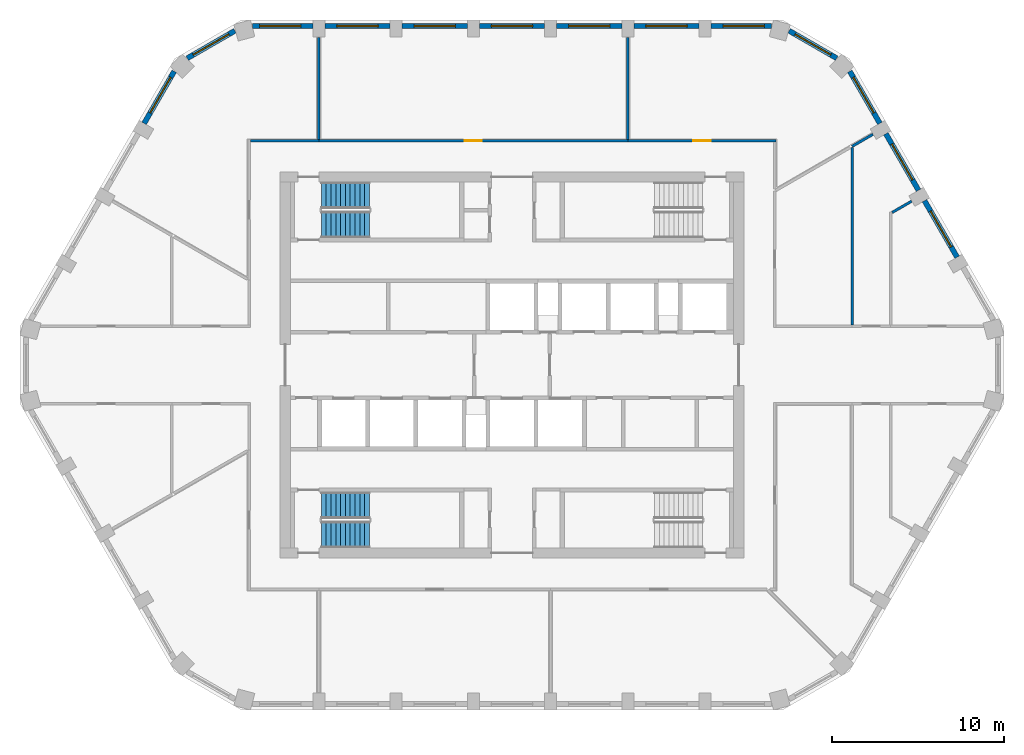
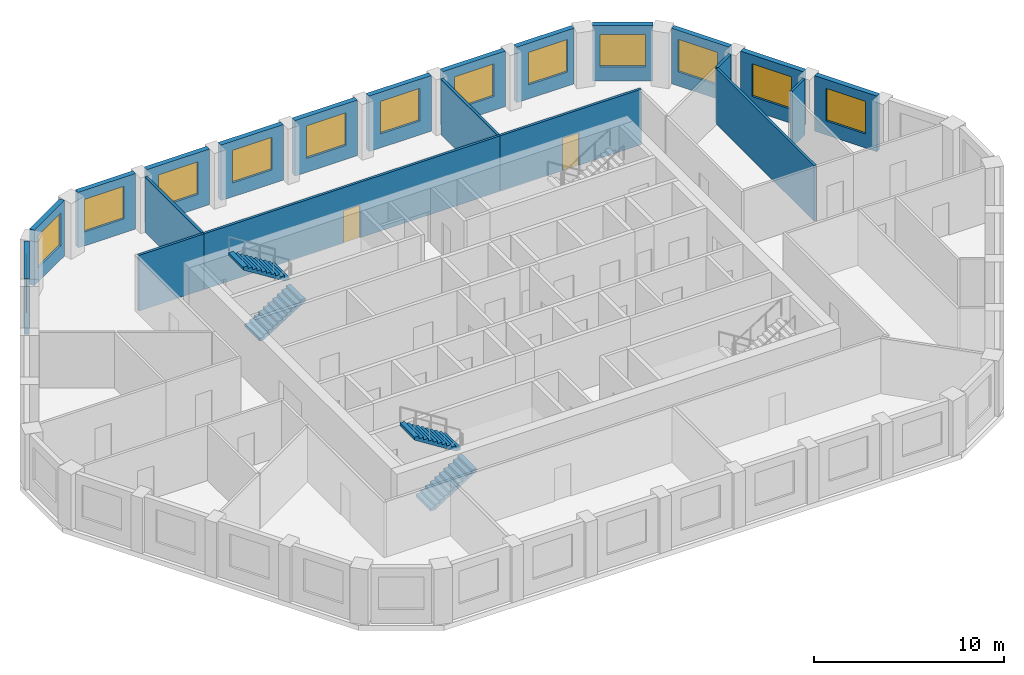
# One storey, part 6 of 11: 21 walls, 13 windows, 4 stair flights, 2 doors, 15 openings, 2 elements without a shape of their own.
"""IFC4 building model written with IfcOpenShell, lengths in metres."""

from ifc_helpers import new_model, si_unit, direction, frame, frame_2d, origin, place, context, subcontext, project, spatial, polyline, rectangle, outline, extrude, material, layer, layer_set, type_object, element, fill, aggregate, save


model = new_model("IFC4")

# Units and contexts
model_context = context("Model", 3, precision=1e-05, world=origin(), true_north=direction((0.0, 1.0)))
body_context = subcontext(model_context, "Body", "Model", "MODEL_VIEW")
ifc_project = project(units=[si_unit("LENGTHUNIT", "METRE"), si_unit("AREAUNIT", "SQUARE_METRE"), si_unit("VOLUMEUNIT", "CUBIC_METRE"), si_unit("PLANEANGLEUNIT", "RADIAN"), si_unit("MASSUNIT", "GRAM", prefix="KILO")], contexts=[model_context])

# Site, building, storey
site_placement = place(None, origin())
site = spatial("IfcSite", under=ifc_project, at=site_placement, CompositionType="ELEMENT")
building_placement = place(site_placement, origin())
building = spatial("IfcBuilding", under=site, at=building_placement, Name="Dhurran Vertical Campus", CompositionType="ELEMENT")
storey_placement = place(building_placement, frame((0.0, 0.0, 270.300048828125)))
storey = spatial("IfcBuildingStorey", under=building, at=storey_placement, Name="L67", CompositionType="ELEMENT", Elevation=270.300048828125)

# Wall, opening, window
ifc_material_1 = material(Name="Precast concrete C50/60", Category="concrete")
ifc_layer_1 = layer(ifc_material_1, 0.300048828125)
ifc_layer_set_1 = layer_set([ifc_layer_1], Name="Precast concrete C50/60")
wall_type_1 = type_object("IfcWallType", Name="Precast spandrel wall 300", PredefinedType="SOLIDWALL", material=ifc_layer_set_1)
wall_1_placement = place(storey_placement, frame((25.918701171875, 6.275634765625, 0.0), z_axis=(0.0, 0.0, 1.0), x_axis=(-0.499982058975, 0.866035761792, 0.0)))
wall_1 = element("IfcWall", 1, at=wall_1_placement, inside=storey, type_object=wall_type_1, Name="EW1 L67.14", PredefinedType="SOLIDWALL", context=body_context, shape_type="SweptSolid", body=[
    extrude(rectangle(XDim=3.799072265625, YDim=0.300048828125, at=frame_2d((1.8994140625, 0.0))), origin(), (0.0, 0.0, 1.0), 3.574951171875),
])
opening_1_placement = place(wall_1_placement, frame((0.699462890625, 0.0, 0.89990234375)))
opening_1 = element("IfcOpeningElement", 2, at=opening_1_placement, cuts=wall_1, Name="Opening WT1", PredefinedType="OPENING", context=body_context, shape_type="SweptSolid", body=[
    extrude(rectangle(XDim=2.39990234375, YDim=2.10009765625, at=frame_2d((1.199951171875, 1.050048828125))), frame((0.0, 0.159912109375, 0.0), z_axis=(0.0, -1.0, 0.0), x_axis=(1.0, 0.0, 0.0)), (0.0, 0.0, 1.0), 0.320068359375),
])
ifc_material_2 = material(Name="Aluminium frame with solar-control glass", Category="aluminium")
window_type = type_object("IfcWindowType", Name="Punched window 2400 x 2100", PartitioningType="SINGLE_PANEL", PredefinedType="WINDOW", material=ifc_material_2)
window_1_placement = place(opening_1_placement, origin())
window_1 = element("IfcWindow", 3, at=window_1_placement, inside=storey, type_object=window_type, Name="WT1 L67.14", OverallHeight=2.10009765625, OverallWidth=2.39990234375, PartitioningType="SINGLE_PANEL", PredefinedType="WINDOW", context=body_context, shape_type="SweptSolid", body=[
    extrude(rectangle(XDim=2.39990234375, YDim=2.10009765625, at=frame_2d((1.199951171875, 1.050048828125))), frame((0.0, 0.030029296875, 0.0), z_axis=(0.0, -1.0, 0.0), x_axis=(1.0, 0.0, 0.0)), (0.0, 0.0, 1.0), 0.06005859375),
])
fill(opening_1, window_1)

wall_2_placement = place(storey_placement, frame((23.668701171875, 10.1728515625, 0.0), z_axis=(0.0, 0.0, 1.0), x_axis=(-0.499982058975, 0.866035761792, 0.0)))
wall_2 = element("IfcWall", 4, at=wall_2_placement, inside=storey, type_object=wall_type_1, Name="EW1 L67.15", PredefinedType="SOLIDWALL", context=body_context, shape_type="SweptSolid", body=[
    extrude(rectangle(XDim=3.799072265625, YDim=0.300048828125, at=frame_2d((1.8994140625, 0.0))), origin(), (0.0, 0.0, 1.0), 3.574951171875),
])
opening_2_placement = place(wall_2_placement, frame((0.699462890625, 0.0, 0.89990234375)))
opening_2 = element("IfcOpeningElement", 5, at=opening_2_placement, cuts=wall_2, Name="Opening WT1", PredefinedType="OPENING", context=body_context, shape_type="SweptSolid", body=[
    extrude(rectangle(XDim=2.39990234375, YDim=2.10009765625, at=frame_2d((1.199951171875, 1.050048828125))), frame((0.0, 0.159912109375, 0.0), z_axis=(0.0, -1.0, 0.0), x_axis=(1.0, 0.0, 0.0)), (0.0, 0.0, 1.0), 0.320068359375),
])
window_2_placement = place(opening_2_placement, origin())
window_2 = element("IfcWindow", 6, at=window_2_placement, inside=storey, type_object=window_type, Name="WT1 L67.15", OverallHeight=2.10009765625, OverallWidth=2.39990234375, PartitioningType="SINGLE_PANEL", PredefinedType="WINDOW", context=body_context, shape_type="SweptSolid", body=[
    extrude(rectangle(XDim=2.39990234375, YDim=2.10009765625, at=frame_2d((1.199951171875, 1.050048828125))), frame((0.0, 0.030029296875, 0.0), z_axis=(0.0, -1.0, 0.0), x_axis=(1.0, 0.0, 0.0)), (0.0, 0.0, 1.0), 0.06005859375),
])
fill(opening_2, window_2)

wall_3_placement = place(storey_placement, frame((21.418701171875, 14.06982421875, 0.0), z_axis=(0.0, 0.0, 1.0), x_axis=(-0.499960102815, 0.866048437209, 0.0)))
wall_3 = element("IfcWall", 7, at=wall_3_placement, inside=storey, type_object=wall_type_1, Name="EW1 L67.16", PredefinedType="SOLIDWALL", context=body_context, shape_type="SweptSolid", body=[
    extrude(rectangle(XDim=3.497802734375, YDim=0.300048828125, at=frame_2d((1.7490234375, 0.0))), origin(), (0.0, 0.0, 1.0), 3.574951171875),
])
opening_3_placement = place(wall_3_placement, frame((0.699462890625, 0.0, 0.89990234375)))
opening_3 = element("IfcOpeningElement", 8, at=opening_3_placement, cuts=wall_3, Name="Opening WT1", PredefinedType="OPENING", context=body_context, shape_type="SweptSolid", body=[
    extrude(rectangle(XDim=2.39990234375, YDim=2.10009765625, at=frame_2d((1.199951171875, 1.050048828125))), frame((0.0, 0.159912109375, 0.0), z_axis=(0.0, -1.0, 0.0), x_axis=(1.0, 0.0, 0.0)), (0.0, 0.0, 1.0), 0.320068359375),
])
window_3_placement = place(opening_3_placement, origin())
window_3 = element("IfcWindow", 9, at=window_3_placement, inside=storey, type_object=window_type, Name="WT1 L67.16", OverallHeight=2.10009765625, OverallWidth=2.39990234375, PartitioningType="SINGLE_PANEL", PredefinedType="WINDOW", context=body_context, shape_type="SweptSolid", body=[
    extrude(rectangle(XDim=2.39990234375, YDim=2.10009765625, at=frame_2d((1.199951171875, 1.050048828125))), frame((0.0, 0.030029296875, 0.0), z_axis=(0.0, -1.0, 0.0), x_axis=(1.0, 0.0, 0.0)), (0.0, 0.0, 1.0), 0.06005859375),
])
fill(opening_3, window_3)

wall_4_placement = place(storey_placement, frame((18.90771484375, 17.861328125, 0.0), z_axis=(0.0, 0.0, 1.0), x_axis=(-0.866025316205, 0.500000151692, 0.0)))
wall_4 = element("IfcWall", 10, at=wall_4_placement, inside=storey, type_object=wall_type_1, Name="EW1 L67.17", PredefinedType="SOLIDWALL", context=body_context, shape_type="SweptSolid", body=[
    extrude(rectangle(XDim=3.1962890625, YDim=0.300048828125, at=frame_2d((1.59814453125, 0.0))), origin(), (0.0, 0.0, 1.0), 3.574951171875),
])
opening_4_placement = place(wall_4_placement, frame((0.398193359375, 0.0, 0.89990234375)))
opening_4 = element("IfcOpeningElement", 11, at=opening_4_placement, cuts=wall_4, Name="Opening WT1", PredefinedType="OPENING", context=body_context, shape_type="SweptSolid", body=[
    extrude(rectangle(XDim=2.39990234375, YDim=2.10009765625, at=frame_2d((1.199951171875, 1.050048828125))), frame((0.0, 0.159912109375, 0.0), z_axis=(0.0, -1.0, 0.0), x_axis=(1.0, 0.0, 0.0)), (0.0, 0.0, 1.0), 0.320068359375),
])
window_4_placement = place(opening_4_placement, origin())
window_4 = element("IfcWindow", 12, at=window_4_placement, inside=storey, type_object=window_type, Name="WT1 L67.17", OverallHeight=2.10009765625, OverallWidth=2.39990234375, PartitioningType="SINGLE_PANEL", PredefinedType="WINDOW", context=body_context, shape_type="SweptSolid", body=[
    extrude(rectangle(XDim=2.39990234375, YDim=2.10009765625, at=frame_2d((1.199951171875, 1.050048828125))), frame((0.0, 0.030029296875, 0.0), z_axis=(0.0, -1.0, 0.0), x_axis=(1.0, 0.0, 0.0)), (0.0, 0.0, 1.0), 0.06005859375),
])
fill(opening_4, window_4)

wall_5_placement = place(storey_placement, frame((15.09814453125, 19.738525390625, 0.0), z_axis=(0.0, 0.0, 1.0), x_axis=(-1.0, 0.0, 0.0)))
wall_5 = element("IfcWall", 13, at=wall_5_placement, inside=storey, type_object=wall_type_1, Name="EW1 L67.18", PredefinedType="SOLIDWALL", context=body_context, shape_type="SweptSolid", body=[
    extrude(rectangle(XDim=3.49755859375, YDim=0.300048828125, at=frame_2d((1.748779296875, 0.0))), origin(), (0.0, 0.0, 1.0), 3.574951171875),
])
opening_5_placement = place(wall_5_placement, frame((0.398193359375, 0.0, 0.89990234375)))
opening_5 = element("IfcOpeningElement", 14, at=opening_5_placement, cuts=wall_5, Name="Opening WT1", PredefinedType="OPENING", context=body_context, shape_type="SweptSolid", body=[
    extrude(rectangle(XDim=2.39990234375, YDim=2.10009765625, at=frame_2d((1.199951171875, 1.050048828125))), frame((0.0, 0.159912109375, 0.0), z_axis=(0.0, -1.0, 0.0), x_axis=(1.0, 0.0, 0.0)), (0.0, 0.0, 1.0), 0.320068359375),
])
window_5_placement = place(opening_5_placement, origin())
window_5 = element("IfcWindow", 15, at=window_5_placement, inside=storey, type_object=window_type, Name="WT1 L67.18", OverallHeight=2.10009765625, OverallWidth=2.39990234375, PartitioningType="SINGLE_PANEL", PredefinedType="WINDOW", context=body_context, shape_type="SweptSolid", body=[
    extrude(rectangle(XDim=2.39990234375, YDim=2.10009765625, at=frame_2d((1.199951171875, 1.050048828125))), frame((0.0, 0.030029296875, 0.0), z_axis=(0.0, -1.0, 0.0), x_axis=(1.0, 0.0, 0.0)), (0.0, 0.0, 1.0), 0.06005859375),
])
fill(opening_5, window_5)

wall_6_placement = place(storey_placement, frame((10.8994140625, 19.738525390625, 0.0), z_axis=(0.0, 0.0, 1.0), x_axis=(-1.0, 0.0, 0.0)))
wall_6 = element("IfcWall", 16, at=wall_6_placement, inside=storey, type_object=wall_type_1, Name="EW1 L67.19", PredefinedType="SOLIDWALL", context=body_context, shape_type="SweptSolid", body=[
    extrude(rectangle(XDim=3.798828125, YDim=0.300048828125, at=frame_2d((1.8994140625, 0.0))), origin(), (0.0, 0.0, 1.0), 3.574951171875),
])
opening_6_placement = place(wall_6_placement, frame((0.699462890625, 0.0, 0.89990234375)))
opening_6 = element("IfcOpeningElement", 17, at=opening_6_placement, cuts=wall_6, Name="Opening WT1", PredefinedType="OPENING", context=body_context, shape_type="SweptSolid", body=[
    extrude(rectangle(XDim=2.39990234375, YDim=2.10009765625, at=frame_2d((1.199951171875, 1.050048828125))), frame((0.0, 0.159912109375, 0.0), z_axis=(0.0, -1.0, 0.0), x_axis=(1.0, 0.0, 0.0)), (0.0, 0.0, 1.0), 0.320068359375),
])
window_6_placement = place(opening_6_placement, origin())
window_6 = element("IfcWindow", 18, at=window_6_placement, inside=storey, type_object=window_type, Name="WT1 L67.19", OverallHeight=2.10009765625, OverallWidth=2.39990234375, PartitioningType="SINGLE_PANEL", PredefinedType="WINDOW", context=body_context, shape_type="SweptSolid", body=[
    extrude(rectangle(XDim=2.39990234375, YDim=2.10009765625, at=frame_2d((1.199951171875, 1.050048828125))), frame((0.0, 0.030029296875, 0.0), z_axis=(0.0, -1.0, 0.0), x_axis=(1.0, 0.0, 0.0)), (0.0, 0.0, 1.0), 0.06005859375),
])
fill(opening_6, window_6)

wall_7_placement = place(storey_placement, frame((6.3994140625, 19.738525390625, 0.0), z_axis=(0.0, 0.0, 1.0), x_axis=(-1.0, 0.0, 0.0)))
wall_7 = element("IfcWall", 19, at=wall_7_placement, inside=storey, type_object=wall_type_1, Name="EW1 L67.20", PredefinedType="SOLIDWALL", context=body_context, shape_type="SweptSolid", body=[
    extrude(rectangle(XDim=3.798828125, YDim=0.300048828125, at=frame_2d((1.8994140625, 0.0))), origin(), (0.0, 0.0, 1.0), 3.574951171875),
])
opening_7_placement = place(wall_7_placement, frame((0.699462890625, 0.0, 0.89990234375)))
opening_7 = element("IfcOpeningElement", 20, at=opening_7_placement, cuts=wall_7, Name="Opening WT1", PredefinedType="OPENING", context=body_context, shape_type="SweptSolid", body=[
    extrude(rectangle(XDim=2.39990234375, YDim=2.10009765625, at=frame_2d((1.199951171875, 1.050048828125))), frame((0.0, 0.159912109375, 0.0), z_axis=(0.0, -1.0, 0.0), x_axis=(1.0, 0.0, 0.0)), (0.0, 0.0, 1.0), 0.320068359375),
])
window_7_placement = place(opening_7_placement, origin())
window_7 = element("IfcWindow", 21, at=window_7_placement, inside=storey, type_object=window_type, Name="WT1 L67.20", OverallHeight=2.10009765625, OverallWidth=2.39990234375, PartitioningType="SINGLE_PANEL", PredefinedType="WINDOW", context=body_context, shape_type="SweptSolid", body=[
    extrude(rectangle(XDim=2.39990234375, YDim=2.10009765625, at=frame_2d((1.199951171875, 1.050048828125))), frame((0.0, 0.030029296875, 0.0), z_axis=(0.0, -1.0, 0.0), x_axis=(1.0, 0.0, 0.0)), (0.0, 0.0, 1.0), 0.06005859375),
])
fill(opening_7, window_7)

wall_8_placement = place(storey_placement, frame((1.8994140625, 19.738525390625, 0.0), z_axis=(0.0, 0.0, 1.0), x_axis=(-1.0, 0.0, 0.0)))
wall_8 = element("IfcWall", 22, at=wall_8_placement, inside=storey, type_object=wall_type_1, Name="EW1 L67.21", PredefinedType="SOLIDWALL", context=body_context, shape_type="SweptSolid", body=[
    extrude(rectangle(XDim=3.798828125, YDim=0.300048828125, at=frame_2d((1.8994140625, 0.0))), origin(), (0.0, 0.0, 1.0), 3.574951171875),
])
opening_8_placement = place(wall_8_placement, frame((0.699462890625, 0.0, 0.89990234375)))
opening_8 = element("IfcOpeningElement", 23, at=opening_8_placement, cuts=wall_8, Name="Opening WT1", PredefinedType="OPENING", context=body_context, shape_type="SweptSolid", body=[
    extrude(rectangle(XDim=2.39990234375, YDim=2.10009765625, at=frame_2d((1.199951171875, 1.050048828125))), frame((0.0, 0.159912109375, 0.0), z_axis=(0.0, -1.0, 0.0), x_axis=(1.0, 0.0, 0.0)), (0.0, 0.0, 1.0), 0.320068359375),
])
window_8_placement = place(opening_8_placement, origin())
window_8 = element("IfcWindow", 24, at=window_8_placement, inside=storey, type_object=window_type, Name="WT1 L67.21", OverallHeight=2.10009765625, OverallWidth=2.39990234375, PartitioningType="SINGLE_PANEL", PredefinedType="WINDOW", context=body_context, shape_type="SweptSolid", body=[
    extrude(rectangle(XDim=2.39990234375, YDim=2.10009765625, at=frame_2d((1.199951171875, 1.050048828125))), frame((0.0, 0.030029296875, 0.0), z_axis=(0.0, -1.0, 0.0), x_axis=(1.0, 0.0, 0.0)), (0.0, 0.0, 1.0), 0.06005859375),
])
fill(opening_8, window_8)

wall_9_placement = place(storey_placement, frame((-2.6005859375, 19.738525390625, 0.0), z_axis=(0.0, 0.0, 1.0), x_axis=(-1.0, 0.0, 0.0)))
wall_9 = element("IfcWall", 25, at=wall_9_placement, inside=storey, type_object=wall_type_1, Name="EW1 L67.22", PredefinedType="SOLIDWALL", context=body_context, shape_type="SweptSolid", body=[
    extrude(rectangle(XDim=3.798828125, YDim=0.300048828125, at=frame_2d((1.8994140625, 0.0))), origin(), (0.0, 0.0, 1.0), 3.574951171875),
])
opening_9_placement = place(wall_9_placement, frame((0.699462890625, 0.0, 0.89990234375)))
opening_9 = element("IfcOpeningElement", 26, at=opening_9_placement, cuts=wall_9, Name="Opening WT1", PredefinedType="OPENING", context=body_context, shape_type="SweptSolid", body=[
    extrude(rectangle(XDim=2.39990234375, YDim=2.10009765625, at=frame_2d((1.199951171875, 1.050048828125))), frame((0.0, 0.159912109375, 0.0), z_axis=(0.0, -1.0, 0.0), x_axis=(1.0, 0.0, 0.0)), (0.0, 0.0, 1.0), 0.320068359375),
])
window_9_placement = place(opening_9_placement, origin())
window_9 = element("IfcWindow", 27, at=window_9_placement, inside=storey, type_object=window_type, Name="WT1 L67.22", OverallHeight=2.10009765625, OverallWidth=2.39990234375, PartitioningType="SINGLE_PANEL", PredefinedType="WINDOW", context=body_context, shape_type="SweptSolid", body=[
    extrude(rectangle(XDim=2.39990234375, YDim=2.10009765625, at=frame_2d((1.199951171875, 1.050048828125))), frame((0.0, 0.030029296875, 0.0), z_axis=(0.0, -1.0, 0.0), x_axis=(1.0, 0.0, 0.0)), (0.0, 0.0, 1.0), 0.06005859375),
])
fill(opening_9, window_9)

wall_10_placement = place(storey_placement, frame((-7.1005859375, 19.738525390625, 0.0), z_axis=(0.0, 0.0, 1.0), x_axis=(-1.0, 0.0, 0.0)))
wall_10 = element("IfcWall", 28, at=wall_10_placement, inside=storey, type_object=wall_type_1, Name="EW1 L67.23", PredefinedType="SOLIDWALL", context=body_context, shape_type="SweptSolid", body=[
    extrude(rectangle(XDim=3.798828125, YDim=0.300048828125, at=frame_2d((1.8994140625, 0.0))), origin(), (0.0, 0.0, 1.0), 3.574951171875),
])
opening_10_placement = place(wall_10_placement, frame((0.699462890625, 0.0, 0.89990234375)))
opening_10 = element("IfcOpeningElement", 29, at=opening_10_placement, cuts=wall_10, Name="Opening WT1", PredefinedType="OPENING", context=body_context, shape_type="SweptSolid", body=[
    extrude(rectangle(XDim=2.39990234375, YDim=2.10009765625, at=frame_2d((1.199951171875, 1.050048828125))), frame((0.0, 0.159912109375, 0.0), z_axis=(0.0, -1.0, 0.0), x_axis=(1.0, 0.0, 0.0)), (0.0, 0.0, 1.0), 0.320068359375),
])
window_10_placement = place(opening_10_placement, origin())
window_10 = element("IfcWindow", 30, at=window_10_placement, inside=storey, type_object=window_type, Name="WT1 L67.23", OverallHeight=2.10009765625, OverallWidth=2.39990234375, PartitioningType="SINGLE_PANEL", PredefinedType="WINDOW", context=body_context, shape_type="SweptSolid", body=[
    extrude(rectangle(XDim=2.39990234375, YDim=2.10009765625, at=frame_2d((1.199951171875, 1.050048828125))), frame((0.0, 0.030029296875, 0.0), z_axis=(0.0, -1.0, 0.0), x_axis=(1.0, 0.0, 0.0)), (0.0, 0.0, 1.0), 0.06005859375),
])
fill(opening_10, window_10)

wall_11_placement = place(storey_placement, frame((-11.6005859375, 19.738525390625, 0.0), z_axis=(0.0, 0.0, 1.0), x_axis=(-1.0, 0.0, 0.0)))
wall_11 = element("IfcWall", 31, at=wall_11_placement, inside=storey, type_object=wall_type_1, Name="EW1 L67.24", PredefinedType="SOLIDWALL", context=body_context, shape_type="SweptSolid", body=[
    extrude(rectangle(XDim=3.49755859375, YDim=0.300048828125, at=frame_2d((1.748779296875, 0.0))), origin(), (0.0, 0.0, 1.0), 3.574951171875),
])
opening_11_placement = place(wall_11_placement, frame((0.699462890625, 0.0, 0.89990234375)))
opening_11 = element("IfcOpeningElement", 32, at=opening_11_placement, cuts=wall_11, Name="Opening WT1", PredefinedType="OPENING", context=body_context, shape_type="SweptSolid", body=[
    extrude(rectangle(XDim=2.39990234375, YDim=2.10009765625, at=frame_2d((1.199951171875, 1.050048828125))), frame((0.0, 0.159912109375, 0.0), z_axis=(0.0, -1.0, 0.0), x_axis=(1.0, 0.0, 0.0)), (0.0, 0.0, 1.0), 0.320068359375),
])
window_11_placement = place(opening_11_placement, origin())
window_11 = element("IfcWindow", 33, at=window_11_placement, inside=storey, type_object=window_type, Name="WT1 L67.24", OverallHeight=2.10009765625, OverallWidth=2.39990234375, PartitioningType="SINGLE_PANEL", PredefinedType="WINDOW", context=body_context, shape_type="SweptSolid", body=[
    extrude(rectangle(XDim=2.39990234375, YDim=2.10009765625, at=frame_2d((1.199951171875, 1.050048828125))), frame((0.0, 0.030029296875, 0.0), z_axis=(0.0, -1.0, 0.0), x_axis=(1.0, 0.0, 0.0)), (0.0, 0.0, 1.0), 0.06005859375),
])
fill(opening_11, window_11)

wall_12_placement = place(storey_placement, frame((-16.1396484375, 19.45947265625, 0.0), z_axis=(0.0, 0.0, 1.0), x_axis=(-0.866025316205, -0.500000151692, 0.0)))
wall_12 = element("IfcWall", 34, at=wall_12_placement, inside=storey, type_object=wall_type_1, Name="EW1 L67.25", PredefinedType="SOLIDWALL", context=body_context, shape_type="SweptSolid", body=[
    extrude(rectangle(XDim=3.1962890625, YDim=0.300048828125, at=frame_2d((1.59814453125, 0.0))), origin(), (0.0, 0.0, 1.0), 3.574951171875),
])
opening_12_placement = place(wall_12_placement, frame((0.398193359375, 0.0, 0.89990234375)))
opening_12 = element("IfcOpeningElement", 35, at=opening_12_placement, cuts=wall_12, Name="Opening WT1", PredefinedType="OPENING", context=body_context, shape_type="SweptSolid", body=[
    extrude(rectangle(XDim=2.39990234375, YDim=2.10009765625, at=frame_2d((1.199951171875, 1.050048828125))), frame((0.0, 0.159912109375, 0.0), z_axis=(0.0, -1.0, 0.0), x_axis=(1.0, 0.0, 0.0)), (0.0, 0.0, 1.0), 0.320068359375),
])
window_12_placement = place(opening_12_placement, origin())
window_12 = element("IfcWindow", 36, at=window_12_placement, inside=storey, type_object=window_type, Name="WT1 L67.25", OverallHeight=2.10009765625, OverallWidth=2.39990234375, PartitioningType="SINGLE_PANEL", PredefinedType="WINDOW", context=body_context, shape_type="SweptSolid", body=[
    extrude(rectangle(XDim=2.39990234375, YDim=2.10009765625, at=frame_2d((1.199951171875, 1.050048828125))), frame((0.0, 0.030029296875, 0.0), z_axis=(0.0, -1.0, 0.0), x_axis=(1.0, 0.0, 0.0)), (0.0, 0.0, 1.0), 0.06005859375),
])
fill(opening_12, window_12)

wall_13_placement = place(storey_placement, frame((-19.669921875, 17.09912109375, 0.0), z_axis=(0.0, 0.0, 1.0), x_axis=(-0.499960102815, -0.866048437209, 0.0)))
wall_13 = element("IfcWall", 37, at=wall_13_placement, inside=storey, type_object=wall_type_1, Name="EW1 L67.26", PredefinedType="SOLIDWALL", context=body_context, shape_type="SweptSolid", body=[
    extrude(rectangle(XDim=3.497802734375, YDim=0.300048828125, at=frame_2d((1.7490234375, 0.0))), origin(), (0.0, 0.0, 1.0), 3.574951171875),
])
opening_13_placement = place(wall_13_placement, frame((0.398193359375, 0.0, 0.89990234375)))
opening_13 = element("IfcOpeningElement", 38, at=opening_13_placement, cuts=wall_13, Name="Opening WT1", PredefinedType="OPENING", context=body_context, shape_type="SweptSolid", body=[
    extrude(rectangle(XDim=2.39990234375, YDim=2.10009765625, at=frame_2d((1.199951171875, 1.050048828125))), frame((0.0, 0.159912109375, 0.0), z_axis=(0.0, -1.0, 0.0), x_axis=(1.0, 0.0, 0.0)), (0.0, 0.0, 1.0), 0.320068359375),
])
window_13_placement = place(opening_13_placement, origin())
window_13 = element("IfcWindow", 39, at=window_13_placement, inside=storey, type_object=window_type, Name="WT1 L67.26", OverallHeight=2.10009765625, OverallWidth=2.39990234375, PartitioningType="SINGLE_PANEL", PredefinedType="WINDOW", context=body_context, shape_type="SweptSolid", body=[
    extrude(rectangle(XDim=2.39990234375, YDim=2.10009765625, at=frame_2d((1.199951171875, 1.050048828125))), frame((0.0, 0.030029296875, 0.0), z_axis=(0.0, -1.0, 0.0), x_axis=(1.0, 0.0, 0.0)), (0.0, 0.0, 1.0), 0.06005859375),
])
fill(opening_13, window_13)

# Wall
ifc_material_3 = material(Name="Gypsum board corridor wall on steel studs", Category="steel")
ifc_layer_2 = layer(ifc_material_3, 0.14990234375)
ifc_layer_set_2 = layer_set([ifc_layer_2], Name="Gypsum board corridor wall on steel studs")
wall_type_2 = type_object("IfcWallType", Name="fl-CW-150 corridor wall", PredefinedType="PARTITIONING", material=ifc_layer_set_2)
wall_14_placement = place(storey_placement, frame((-11.25, 13.050048828125, 0.0), z_axis=(0.0, 0.0, 1.0), x_axis=(-1.0, 0.0, 0.0)))
element("IfcWall", 40, at=wall_14_placement, inside=storey, type_object=wall_type_2, Name="Partition 67-16", PredefinedType="PARTITIONING", context=body_context, shape_type="SweptSolid", body=[
    extrude(rectangle(XDim=3.97509765625, YDim=0.14990234375, at=frame_2d((1.987548828125, 0.0))), origin(), (0.0, 0.0, 1.0), 3.574951171875),
])

# Wall, opening, door
wall_15_placement = place(storey_placement, frame((6.75, 13.050048828125, 0.0), z_axis=(0.0, 0.0, 1.0), x_axis=(-1.0, 0.0, 0.0)))
wall_15 = element("IfcWall", 41, at=wall_15_placement, inside=storey, type_object=wall_type_2, Name="Partition 67-20", PredefinedType="PARTITIONING", context=body_context, shape_type="SweptSolid", body=[
    extrude(rectangle(XDim=18.0, YDim=0.14990234375, at=frame_2d((9.0, 0.0))), origin(), (0.0, 0.0, 1.0), 3.574951171875),
])
opening_14_placement = place(wall_15_placement, frame((8.5, 0.0, 0.0)))
opening_14 = element("IfcOpeningElement", 42, at=opening_14_placement, cuts=wall_15, Name="Opening T20.08", PredefinedType="OPENING", context=body_context, shape_type="SweptSolid", body=[
    extrude(rectangle(XDim=1.0, YDim=2.10009765625, at=frame_2d((0.5, 1.050048828125))), frame((0.0, 0.0849609375, 0.0), z_axis=(0.0, -1.0, 0.0), x_axis=(1.0, 0.0, 0.0)), (0.0, 0.0, 1.0), 0.169921875),
])
ifc_material_4 = material(Name="Solid-core timber door set, fire-rated", Category="wood")
door_type = type_object("IfcDoorType", Name="fl-D-1000x2100", OperationType="SINGLE_SWING_LEFT", PredefinedType="DOOR", material=ifc_material_4)
door_1_placement = place(opening_14_placement, origin())
door_1 = element("IfcDoor", 43, at=door_1_placement, inside=storey, type_object=door_type, Name="Door 67.08", OperationType="SINGLE_SWING_RIGHT", OverallHeight=2.10009765625, OverallWidth=1.0, PredefinedType="DOOR", context=body_context, shape_type="SweptSolid", body=[
    extrude(rectangle(XDim=1.0, YDim=2.10009765625, at=frame_2d((0.5, 1.050048828125))), frame((0.0, 0.02490234375, 0.0), z_axis=(0.0, -1.0, 0.0), x_axis=(1.0, 0.0, 0.0)), (0.0, 0.0, 1.0), 0.050048828125),
])
fill(opening_14, door_1)

wall_16_placement = place(storey_placement, frame((15.375, 13.050048828125, 0.0), z_axis=(0.0, 0.0, 1.0), x_axis=(-1.0, 0.0, 0.0)))
wall_16 = element("IfcWall", 44, at=wall_16_placement, inside=storey, type_object=wall_type_2, Name="Partition 67-24", PredefinedType="PARTITIONING", context=body_context, shape_type="SweptSolid", body=[
    extrude(rectangle(XDim=8.625, YDim=0.14990234375, at=frame_2d((4.3125, 0.0))), origin(), (0.0, 0.0, 1.0), 3.574951171875),
])
opening_15_placement = place(wall_16_placement, frame((3.8125, 0.0, 0.0)))
opening_15 = element("IfcOpeningElement", 45, at=opening_15_placement, cuts=wall_16, Name="Opening T20.10", PredefinedType="OPENING", context=body_context, shape_type="SweptSolid", body=[
    extrude(rectangle(XDim=1.0, YDim=2.10009765625, at=frame_2d((0.5, 1.050048828125))), frame((0.0, 0.0849609375, 0.0), z_axis=(0.0, -1.0, 0.0), x_axis=(1.0, 0.0, 0.0)), (0.0, 0.0, 1.0), 0.169921875),
])
door_2_placement = place(opening_15_placement, origin())
door_2 = element("IfcDoor", 46, at=door_2_placement, inside=storey, type_object=door_type, Name="Door 67.10", OperationType="SINGLE_SWING_RIGHT", OverallHeight=2.10009765625, OverallWidth=1.0, PredefinedType="DOOR", context=body_context, shape_type="SweptSolid", body=[
    extrude(rectangle(XDim=1.0, YDim=2.10009765625, at=frame_2d((0.5, 1.050048828125))), frame((0.0, 0.02490234375, 0.0), z_axis=(0.0, -1.0, 0.0), x_axis=(1.0, 0.0, 0.0)), (0.0, 0.0, 1.0), 0.050048828125),
])
fill(opening_15, door_2)

# Walls
ifc_material_5 = material(Name="Gypsum board partition on steel studs", Category="steel")
ifc_layer_3 = layer(ifc_material_5, 0.14990234375)
ifc_layer_set_3 = layer_set([ifc_layer_3], Name="Gypsum board partition on steel studs")
wall_type_3 = type_object("IfcWallType", Name="fl-PW-150 fixed partition", PredefinedType="PARTITIONING", material=ifc_layer_set_3)
for number, where, z_axis, x_axis, name in (
    (47, (-11.25, 19.068603515625, 0.0), (0.0, 0.0, 1.0), (0.0, -1.0, 0.0), "Partition 67-19"),
    (48, (6.75, 19.068603515625, 0.0), (0.0, 0.0, 1.0), (0.0, -1.0, 0.0), "Partition 67-23"),
):
    element("IfcWall", number, at=place(storey_placement, frame(where, z_axis=z_axis, x_axis=x_axis)), inside=storey, type_object=wall_type_3, Name=name, PredefinedType="PARTITIONING", context=body_context, shape_type="SweptSolid", body=[
        extrude(rectangle(XDim=5.943603515625, YDim=0.14990234375, at=frame_2d((2.9716796875, 0.0))), origin(), (0.0, 0.0, 1.0), 3.574951171875),
    ])
wall_17_placement = place(storey_placement, frame((19.800048828125, 12.655029296875, 0.0), z_axis=(0.0, 0.0, 1.0), x_axis=(0.0, -1.0, 0.0)))
element("IfcWall", 49, at=wall_17_placement, inside=storey, type_object=wall_type_3, Name="Partition 67-36", PredefinedType="PARTITIONING", context=body_context, shape_type="SweptSolid", body=[
    extrude(rectangle(XDim=10.330078125, YDim=0.14990234375, at=frame_2d((5.1650390625, 0.0))), origin(), (0.0, 0.0, 1.0), 3.574951171875),
])
wall_18_placement = place(storey_placement, frame((21.013916015625, 13.43115234375, 0.0), z_axis=(0.0, 0.0, 1.0), x_axis=(-0.865918715181, -0.500184744569, 0.0)))
element("IfcWall", 50, at=wall_18_placement, inside=storey, type_object=wall_type_3, Name="Partition 67-38", PredefinedType="PARTITIONING", context=body_context, shape_type="SweptSolid", body=[
    extrude(rectangle(XDim=1.40185546875, YDim=0.14990234375, at=frame_2d((0.700927734375, 0.0))), origin(), (0.0, 0.0, 1.0), 3.574951171875),
])
wall_19_placement = place(storey_placement, frame((23.263916015625, 9.5341796875, 0.0), z_axis=(0.0, 0.0, 1.0), x_axis=(-0.865960725898, -0.500112008656, 0.0)))
element("IfcWall", 51, at=wall_19_placement, inside=storey, type_object=wall_type_3, Name="Partition 67-44", PredefinedType="PARTITIONING", context=body_context, shape_type="SweptSolid", body=[
    extrude(rectangle(XDim=1.302001953125, YDim=0.14990234375, at=frame_2d((0.65087890625, 0.0))), origin(), (0.0, 0.0, 1.0), 3.574951171875),
])

# Stair, stair flights
ifc_material_6 = material(Name="Concrete C40/50", Category="concrete")
stair_type = type_object("IfcStairType", Name="co-ST-CORE", PredefinedType="HALF_TURN_STAIR", material=ifc_material_6)
stair_1_placement = place(storey_placement, origin())
stair_1 = element("IfcStair", 52, at=stair_1_placement, inside=storey, type_object=stair_type, Name="L67 Protected exit stair ST1", PredefinedType="HALF_TURN_STAIR")
ifc_material_7 = material(Name="Concrete C40/50", Category="concrete")
stair_flight_type = type_object("IfcStairFlightType", Name="co-SFL-RC", PredefinedType="STRAIGHT", material=ifc_material_7)
stair_flight_1_placement = place(storey_placement, frame((-11.10009765625, 8.175048828125, 0.0), z_axis=(0.0, 0.0, 1.0), x_axis=(1.0, 0.0, 0.0)))
stair_flight_1 = element("IfcStairFlight", 53, at=stair_flight_1_placement, type_object=stair_flight_type, Name="ST1 flight 1", NumberOfRisers=11, NumberOfTreads=10, PredefinedType="STRAIGHT", RiserHeight=0.177272727, TreadLength=0.28, context=body_context, shape_type="SweptSolid", body=[
    extrude(outline(polyline([(0.0, 0.0), (0.0, 0.17724609375), (0.280029296875, 0.17724609375), (0.280029296875, 0.3544921875), (0.56005859375, 0.3544921875), (0.56005859375, 0.53173828125), (0.840087890625, 0.53173828125), (0.840087890625, 0.708984375), (1.1201171875, 0.708984375), (1.1201171875, 0.886474609375), (1.39990234375, 0.886474609375), (1.39990234375, 1.063720703125), (1.679931640625, 1.063720703125), (1.679931640625, 1.240966796875), (1.9599609375, 1.240966796875), (1.9599609375, 1.418212890625), (2.239990234375, 1.418212890625), (2.239990234375, 1.595458984375), (2.52001953125, 1.595458984375), (2.52001953125, 1.772705078125), (2.800048828125, 1.772705078125), (2.800048828125, 1.949951171875), (2.800048828125, 1.59521484375), (0.2802734375, 0.0), (0.0, 0.0)])), frame((0.0, 0.77490234375, 0.0), z_axis=(0.0, -1.0, 0.0), x_axis=(1.0, 0.0, 0.0)), (0.0, 0.0, 1.0), 1.550048828125),
])
stair_flight_2_placement = place(storey_placement, frame((-8.300048828125, 9.875, 1.949951171875), z_axis=(0.0, 0.0, 1.0), x_axis=(-1.0, 0.0, 0.0)))
stair_flight_2 = element("IfcStairFlight", 54, at=stair_flight_2_placement, type_object=stair_flight_type, Name="ST1 flight 2", NumberOfRisers=11, NumberOfTreads=10, PredefinedType="STRAIGHT", RiserHeight=0.177272727, TreadLength=0.28, context=body_context, shape_type="SweptSolid", body=[
    extrude(outline(polyline([(0.0, 0.0), (0.0, 0.17724609375), (0.280029296875, 0.17724609375), (0.280029296875, 0.3544921875), (0.56005859375, 0.3544921875), (0.56005859375, 0.53173828125), (0.840087890625, 0.53173828125), (0.840087890625, 0.708984375), (1.1201171875, 0.708984375), (1.1201171875, 0.886474609375), (1.39990234375, 0.886474609375), (1.39990234375, 1.063720703125), (1.679931640625, 1.063720703125), (1.679931640625, 1.240966796875), (1.9599609375, 1.240966796875), (1.9599609375, 1.418212890625), (2.239990234375, 1.418212890625), (2.239990234375, 1.595458984375), (2.52001953125, 1.595458984375), (2.52001953125, 1.772705078125), (2.800048828125, 1.772705078125), (2.800048828125, 1.949951171875), (2.800048828125, 1.59521484375), (0.2802734375, 0.0), (0.0, 0.0)])), frame((0.0, 0.77490234375, 0.0), z_axis=(0.0, -1.0, 0.0), x_axis=(1.0, 0.0, 0.0)), (0.0, 0.0, 1.0), 1.550048828125),
])
aggregate(stair_1, [stair_flight_1, stair_flight_2])

stair_2_placement = place(storey_placement, origin())
stair_2 = element("IfcStair", 55, at=stair_2_placement, inside=storey, type_object=stair_type, Name="L67 Protected exit stair ST3", PredefinedType="HALF_TURN_STAIR")
stair_flight_3_placement = place(storey_placement, frame((-11.10009765625, -9.875, 0.0), z_axis=(0.0, 0.0, 1.0), x_axis=(1.0, 0.0, 0.0)))
stair_flight_3 = element("IfcStairFlight", 56, at=stair_flight_3_placement, type_object=stair_flight_type, Name="ST3 flight 1", NumberOfRisers=11, NumberOfTreads=10, PredefinedType="STRAIGHT", RiserHeight=0.177272727, TreadLength=0.28, context=body_context, shape_type="SweptSolid", body=[
    extrude(outline(polyline([(0.0, 0.0), (0.0, 0.17724609375), (0.280029296875, 0.17724609375), (0.280029296875, 0.3544921875), (0.56005859375, 0.3544921875), (0.56005859375, 0.53173828125), (0.840087890625, 0.53173828125), (0.840087890625, 0.708984375), (1.1201171875, 0.708984375), (1.1201171875, 0.886474609375), (1.39990234375, 0.886474609375), (1.39990234375, 1.063720703125), (1.679931640625, 1.063720703125), (1.679931640625, 1.240966796875), (1.9599609375, 1.240966796875), (1.9599609375, 1.418212890625), (2.239990234375, 1.418212890625), (2.239990234375, 1.595458984375), (2.52001953125, 1.595458984375), (2.52001953125, 1.772705078125), (2.800048828125, 1.772705078125), (2.800048828125, 1.949951171875), (2.800048828125, 1.59521484375), (0.2802734375, 0.0), (0.0, 0.0)])), frame((0.0, 0.77490234375, 0.0), z_axis=(0.0, -1.0, 0.0), x_axis=(1.0, 0.0, 0.0)), (0.0, 0.0, 1.0), 1.550048828125),
])
stair_flight_4_placement = place(storey_placement, frame((-8.300048828125, -8.175048828125, 1.949951171875), z_axis=(0.0, 0.0, 1.0), x_axis=(-1.0, 0.0, 0.0)))
stair_flight_4 = element("IfcStairFlight", 57, at=stair_flight_4_placement, type_object=stair_flight_type, Name="ST3 flight 2", NumberOfRisers=11, NumberOfTreads=10, PredefinedType="STRAIGHT", RiserHeight=0.177272727, TreadLength=0.28, context=body_context, shape_type="SweptSolid", body=[
    extrude(outline(polyline([(0.0, 0.0), (0.0, 0.17724609375), (0.280029296875, 0.17724609375), (0.280029296875, 0.3544921875), (0.56005859375, 0.3544921875), (0.56005859375, 0.53173828125), (0.840087890625, 0.53173828125), (0.840087890625, 0.708984375), (1.1201171875, 0.708984375), (1.1201171875, 0.886474609375), (1.39990234375, 0.886474609375), (1.39990234375, 1.063720703125), (1.679931640625, 1.063720703125), (1.679931640625, 1.240966796875), (1.9599609375, 1.240966796875), (1.9599609375, 1.418212890625), (2.239990234375, 1.418212890625), (2.239990234375, 1.595458984375), (2.52001953125, 1.595458984375), (2.52001953125, 1.772705078125), (2.800048828125, 1.772705078125), (2.800048828125, 1.949951171875), (2.800048828125, 1.59521484375), (0.2802734375, 0.0), (0.0, 0.0)])), frame((0.0, 0.77490234375, 0.0), z_axis=(0.0, -1.0, 0.0), x_axis=(1.0, 0.0, 0.0)), (0.0, 0.0, 1.0), 1.550048828125),
])
aggregate(stair_2, [stair_flight_3, stair_flight_4])

save(model, "model.ifc")
